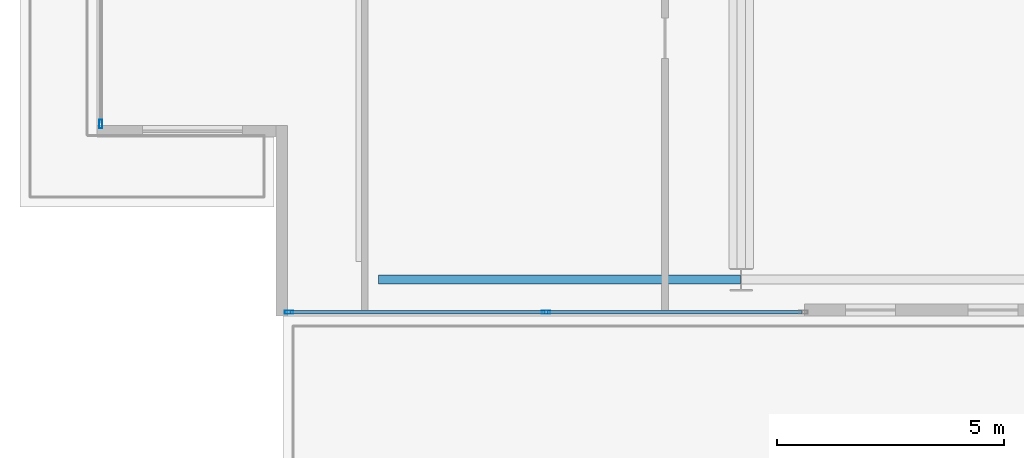
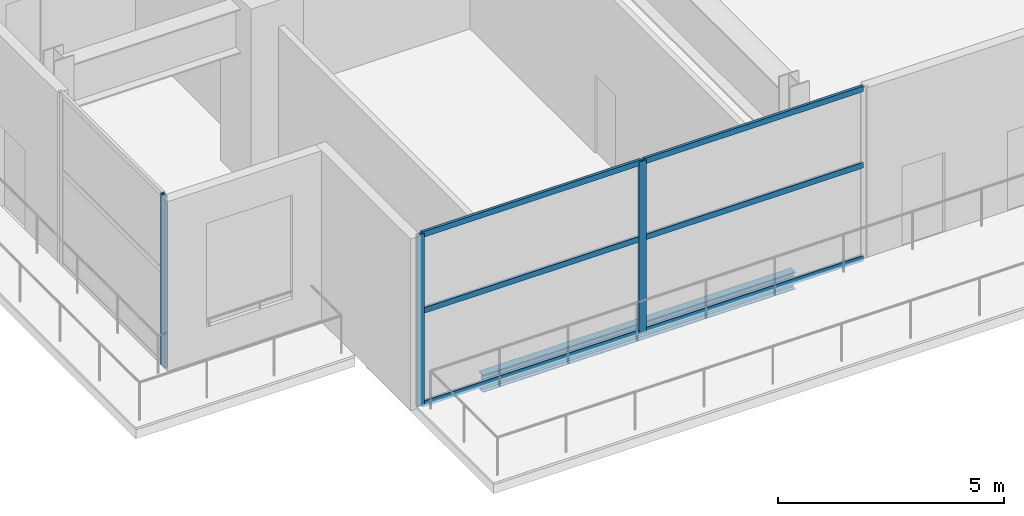
# One storey, part 2 of 22: 9 members, 1 beam, 2 elements without a shape of their own.
"""IFC4 building model written with IfcOpenShell, lengths in metres."""

from ifc_helpers import new_model, si_unit, direction, frame, origin, origin_2d, place, context, subcontext, project, spatial, hollow_rectangle, i_section, extrude, material, layer, layer_set, material_profile, profile_set, type_object, element, aggregate, save


model = new_model("IFC4")

# Units and contexts
model_context = context("Model", 3, precision=1e-05, world=origin(), true_north=direction((0.0, 1.0)))
body_context = subcontext(model_context, "Body", "Model", "MODEL_VIEW")
ifc_project = project(units=[si_unit("LENGTHUNIT", "METRE"), si_unit("AREAUNIT", "SQUARE_METRE"), si_unit("VOLUMEUNIT", "CUBIC_METRE"), si_unit("PLANEANGLEUNIT", "RADIAN"), si_unit("MASSUNIT", "GRAM", prefix="KILO")], contexts=[model_context])

# Site, building, storey
site_placement = place(None, origin())
site = spatial("IfcSite", under=ifc_project, at=site_placement, CompositionType="ELEMENT")
building_placement = place(site_placement, origin())
building = spatial("IfcBuilding", under=site, at=building_placement, Name="Maruvema Waterfront Hotel and Observation Tower", CompositionType="ELEMENT")
storey_placement = place(building_placement, frame((0.0, 0.0, 354.199951171875)))
storey = spatial("IfcBuildingStorey", under=building, at=storey_placement, Name="L87", CompositionType="ELEMENT", Elevation=354.199951171875)

# Curtain wall, members
ifc_material_1 = material(Name="Anodised bronze aluminium and solar-control low-E IGU", Category="aluminium")
ifc_layer = layer(ifc_material_1, 0.159912109375, Name="Observation Crown Structural Glazed Curtain Wall System CW-06")
ifc_layer_set = layer_set([ifc_layer], Name="Anodised bronze aluminium and solar-control low-E IGU")
curtain_wall_type = type_object("IfcCurtainWallType", Name="Observation Crown Structural Glazed Curtain Wall System CW-06", PredefinedType="USERDEFINED", material=ifc_layer_set)
curtain_wall_1_placement = place(storey_placement, origin())
curtain_wall_1 = element("IfcCurtainWall", 1, at=curtain_wall_1_placement, inside=storey, type_object=curtain_wall_type, Name="L87 Curtain Wall CW-L87-SW", ObjectType="UNITISED CURTAIN WALL", PredefinedType="USERDEFINED")
ifc_material_2 = material(Name="Anodised architectural bronze aluminium", Category="aluminium")
ifc_material_profile_1 = material_profile(ifc_material_2, hollow_rectangle(XDim=0.070068359375, YDim=0.14990234375, WallThickness=0.00390625, at=origin_2d()), Name="ALU-T70x150")
ifc_profile_set_1 = profile_set([ifc_material_profile_1], Name="Anodised architectural bronze aluminium")
member_type_1 = type_object("IfcMemberType", Name="Curtain Wall Horizontal Transom ALU-T70x150", PredefinedType="USERDEFINED", material=ifc_profile_set_1)
member_1_placement = place(storey_placement, frame((23.659912109375, 17.280029296875, 0.030029296875), z_axis=(1.0, 0.0, 0.0), x_axis=(0.0, 1.0, 0.0)))
member_1 = element("IfcMember", 2, at=member_1_placement, type_object=member_type_1, Name="CW-06 transom 1.1", ObjectType="TRANSOM", PredefinedType="USERDEFINED", context=body_context, shape_type="SweptSolid", body=[
    extrude(hollow_rectangle(XDim=0.070068359375, YDim=0.14990234375, WallThickness=0.00390625, at=origin_2d()), origin(), (0.0, 0.0, 1.0), 5.610107421875),
])
member_2_placement = place(storey_placement, frame((23.659912109375, 17.280029296875, 2.550048828125), z_axis=(1.0, 0.0, 0.0), x_axis=(0.0, 1.0, 0.0)))
member_2 = element("IfcMember", 3, at=member_2_placement, type_object=member_type_1, Name="CW-06 transom 1.2", ObjectType="TRANSOM", PredefinedType="USERDEFINED", context=body_context, shape_type="SweptSolid", body=[
    extrude(hollow_rectangle(XDim=0.070068359375, YDim=0.14990234375, WallThickness=0.00390625, at=origin_2d()), origin(), (0.0, 0.0, 1.0), 5.610107421875),
])
member_3_placement = place(storey_placement, frame((23.659912109375, 17.280029296875, 4.610107421875), z_axis=(1.0, 0.0, 0.0), x_axis=(0.0, 1.0, 0.0)))
member_3 = element("IfcMember", 4, at=member_3_placement, type_object=member_type_1, Name="CW-06 transom 1.3", ObjectType="TRANSOM", PredefinedType="USERDEFINED", context=body_context, shape_type="SweptSolid", body=[
    extrude(hollow_rectangle(XDim=0.070068359375, YDim=0.14990234375, WallThickness=0.00390625, at=origin_2d()), origin(), (0.0, 0.0, 1.0), 5.610107421875),
])
member_4_placement = place(storey_placement, frame((29.330078125, 17.280029296875, 0.030029296875), z_axis=(1.0, 0.0, 0.0), x_axis=(0.0, 1.0, 0.0)))
member_4 = element("IfcMember", 5, at=member_4_placement, type_object=member_type_1, Name="CW-06 transom 2.1", ObjectType="TRANSOM", PredefinedType="USERDEFINED", context=body_context, shape_type="SweptSolid", body=[
    extrude(hollow_rectangle(XDim=0.070068359375, YDim=0.14990234375, WallThickness=0.00390625, at=origin_2d()), origin(), (0.0, 0.0, 1.0), 5.60986328125),
])
member_5_placement = place(storey_placement, frame((29.330078125, 17.280029296875, 2.550048828125), z_axis=(1.0, 0.0, 0.0), x_axis=(0.0, 1.0, 0.0)))
member_5 = element("IfcMember", 6, at=member_5_placement, type_object=member_type_1, Name="CW-06 transom 2.2", ObjectType="TRANSOM", PredefinedType="USERDEFINED", context=body_context, shape_type="SweptSolid", body=[
    extrude(hollow_rectangle(XDim=0.070068359375, YDim=0.14990234375, WallThickness=0.00390625, at=origin_2d()), origin(), (0.0, 0.0, 1.0), 5.60986328125),
])
member_6_placement = place(storey_placement, frame((29.330078125, 17.280029296875, 4.610107421875), z_axis=(1.0, 0.0, 0.0), x_axis=(0.0, 1.0, 0.0)))
member_6 = element("IfcMember", 7, at=member_6_placement, type_object=member_type_1, Name="CW-06 transom 2.3", ObjectType="TRANSOM", PredefinedType="USERDEFINED", context=body_context, shape_type="SweptSolid", body=[
    extrude(hollow_rectangle(XDim=0.070068359375, YDim=0.14990234375, WallThickness=0.00390625, at=origin_2d()), origin(), (0.0, 0.0, 1.0), 5.60986328125),
])
ifc_material_3 = material(Name="Anodised architectural bronze aluminium", Category="aluminium")
ifc_material_profile_2 = material_profile(ifc_material_3, hollow_rectangle(XDim=0.070068359375, YDim=0.18994140625, WallThickness=0.00390625, at=origin_2d()), Name="ALU-M70x190")
ifc_profile_set_2 = profile_set([ifc_material_profile_2], Name="Anodised architectural bronze aluminium")
member_type_2 = type_object("IfcMemberType", Name="Podium Storefront Heavy Mullion ALU-M70x190", PredefinedType="MULLION", material=ifc_profile_set_2)
member_7_placement = place(storey_placement, frame((23.6298828125, 17.280029296875, 0.0), z_axis=(0.0, 0.0, 1.0), x_axis=(0.0, 1.0, 0.0)))
member_7 = element("IfcMember", 8, at=member_7_placement, type_object=member_type_2, Name="CW-06 mullion 1", PredefinedType="MULLION", context=body_context, shape_type="SweptSolid", body=[
    extrude(hollow_rectangle(XDim=0.070068359375, YDim=0.18994140625, WallThickness=0.00390625, at=origin_2d()), origin(), (0.0, 0.0, 1.0), 4.64013671875),
])
member_8_placement = place(storey_placement, frame((29.300048828125, 17.280029296875, 0.0), z_axis=(0.0, 0.0, 1.0), x_axis=(0.0, 1.0, 0.0)))
member_8 = element("IfcMember", 9, at=member_8_placement, type_object=member_type_2, Name="CW-06 mullion 2", PredefinedType="MULLION", context=body_context, shape_type="SweptSolid", body=[
    extrude(hollow_rectangle(XDim=0.070068359375, YDim=0.18994140625, WallThickness=0.00390625, at=origin_2d()), origin(), (0.0, 0.0, 1.0), 4.64013671875),
])
aggregate(curtain_wall_1, [member_7, member_8, member_1, member_2, member_3, member_4, member_5, member_6])

# Curtain wall, member
curtain_wall_2_placement = place(storey_placement, origin())
curtain_wall_2 = element("IfcCurtainWall", 10, at=curtain_wall_2_placement, inside=storey, type_object=curtain_wall_type, Name="L87 Curtain Wall CW-L87-WS", ObjectType="UNITISED CURTAIN WALL", PredefinedType="USERDEFINED")
member_9_placement = place(storey_placement, frame((19.47998046875, 21.429931640625, 0.0), z_axis=(0.0, 0.0, 1.0), x_axis=(1.0, 0.0, 0.0)))
member_9 = element("IfcMember", 11, at=member_9_placement, type_object=member_type_2, Name="CW-06 mullion 2", PredefinedType="MULLION", context=body_context, shape_type="SweptSolid", body=[
    extrude(hollow_rectangle(XDim=0.070068359375, YDim=0.18994140625, WallThickness=0.00390625, at=origin_2d()), origin(), (0.0, 0.0, 1.0), 4.64013671875),
])
aggregate(curtain_wall_2, [member_9])

# Beam
ifc_material_4 = material(Name="Steel ASTM A572 Grade 50", Category="steel")
ifc_material_profile_3 = material_profile(ifc_material_4, i_section(OverallWidth=0.194091796875, OverallDepth=0.468994140625, WebThickness=0.0126953125, FlangeThickness=0.0205078125, FilletRadius=0.014892578125, at=origin_2d()), Name="W460x106.0")
ifc_profile_set_3 = profile_set([ifc_material_profile_3], Name="Steel ASTM A572 Grade 50")
beam_type = type_object("IfcBeamType", Name="Primary Floor Girder W460x106.0", PredefinedType="BEAM", material=ifc_profile_set_3)
beam_placement = place(storey_placement, frame((25.60009765625, 18.0, -0.494384765625), z_axis=(1.0, 0.0, 0.0), x_axis=(0.0, 1.0, 0.0)))
element("IfcBeam", 12, at=beam_placement, inside=storey, type_object=beam_type, Name="L87 Floor Girder EW-01", PredefinedType="BEAM", context=body_context, shape_type="SweptSolid", body=[
    extrude(i_section(OverallWidth=0.194091796875, OverallDepth=0.468994140625, WebThickness=0.0126953125, FlangeThickness=0.0205078125, FilletRadius=0.014892578125, at=origin_2d()), origin(), (0.0, 0.0, 1.0), 7.989013671875),
])

save(model, "model.ifc")
